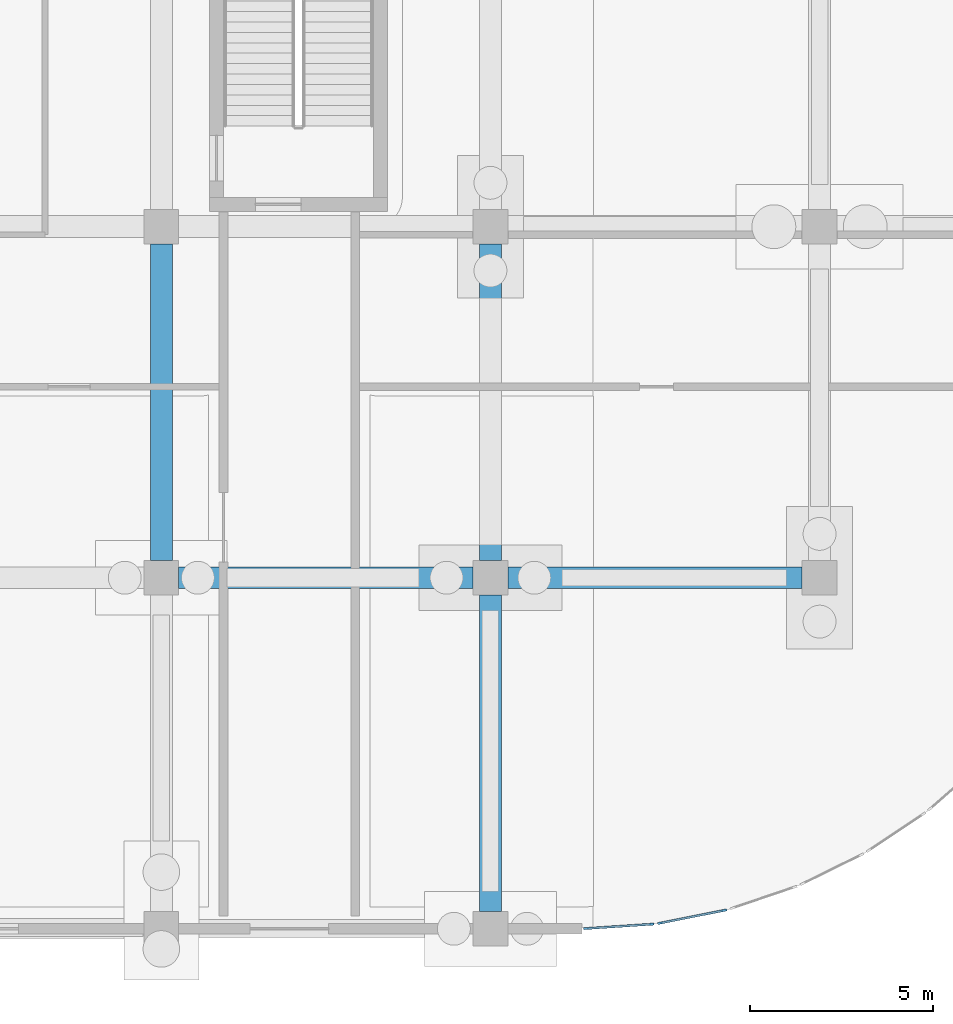
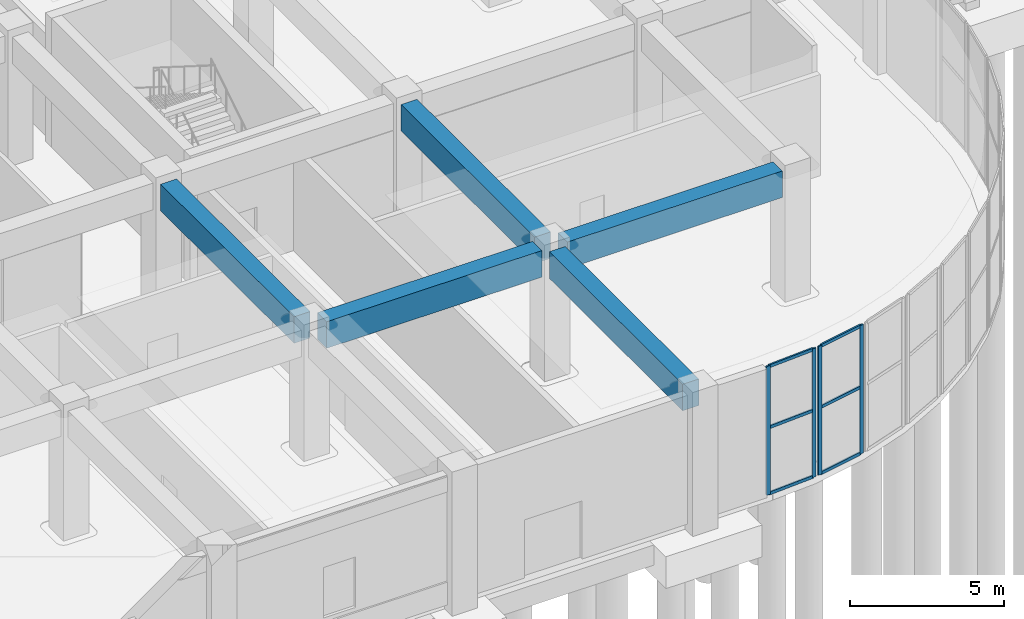
# One storey, part 11 of 74: 10 members, 5 beams, 2 elements without a shape of their own.
"""IFC4 building model written with IfcOpenShell, lengths in metres."""

from ifc_helpers import new_model, si_unit, direction, frame, origin, origin_2d, place, context, subcontext, project, spatial, rectangle, extrude, material, layer, layer_set, material_profile, profile_set, type_object, element, aggregate, save


model = new_model("IFC4")

# Units and contexts
model_context = context("Model", 3, precision=1e-05, world=origin(), true_north=direction((0.0, 1.0)))
body_context = subcontext(model_context, "Body", "Model", "MODEL_VIEW")
ifc_project = project(units=[si_unit("LENGTHUNIT", "METRE"), si_unit("AREAUNIT", "SQUARE_METRE"), si_unit("VOLUMEUNIT", "CUBIC_METRE"), si_unit("PLANEANGLEUNIT", "RADIAN"), si_unit("MASSUNIT", "GRAM", prefix="KILO")], contexts=[model_context])

# Site, building, storey
site_placement = place(None, origin())
site = spatial("IfcSite", under=ifc_project, at=site_placement, CompositionType="ELEMENT")
building_placement = place(site_placement, origin())
building = spatial("IfcBuilding", under=site, at=building_placement, Name="Cendralis Terraced Arcade", CompositionType="ELEMENT")
storey_placement = place(building_placement, origin())
storey = spatial("IfcBuildingStorey", under=building, at=storey_placement, Name="L00", CompositionType="ELEMENT", Elevation=0.0)

# Beams
ifc_material_1 = material(Name="Concrete f'c 35 MPa", Category="concrete")
ifc_material_profile_1 = material_profile(ifc_material_1, rectangle(XDim=0.60009765625, YDim=1.050048828125, at=origin_2d()), Name="RC-BM-600x1050", Category="LoadBearing")
ifc_profile_set_1 = profile_set([ifc_material_profile_1], Name="Concrete f'c 35 MPa")
beam_type = type_object("IfcBeamType", Name="BM-600x1050", PredefinedType="JOIST", material=ifc_profile_set_1)
for number, where, z_axis, x_axis, name in (
    (1, (112.675048828125, 9.60009765625, 4.56494140625), (1.0, 0.0, 0.0), (0.0, 1.0, 0.0), "Reinforced Concrete Frame Beam BM-X-L01-B-13_14"),
    (2, (121.675048828125, 9.60009765625, 4.56494140625), (1.0, 0.0, 0.0), (0.0, 1.0, 0.0), "Reinforced Concrete Frame Beam BM-X-L01-B-14_15"),
):
    element("IfcBeam", number, at=place(storey_placement, frame(where, z_axis=z_axis, x_axis=x_axis)), inside=storey, type_object=beam_type, Name=name, PredefinedType="JOIST", context=body_context, shape_type="SweptSolid", body=[
        extrude(rectangle(XDim=0.60009765625, YDim=1.050048828125, at=origin_2d()), origin(), (0.0, 0.0, 1.0), 8.050048828125),
    ])
beam_1_placement = place(storey_placement, frame((112.199951171875, 10.074951171875, 4.56494140625), z_axis=(0.0, 1.0, 0.0), x_axis=(-1.0, 0.0, 0.0)))
element("IfcBeam", 3, at=beam_1_placement, inside=storey, type_object=beam_type, Name="Reinforced Concrete Frame Beam BM-Y-L01-13-B_C", PredefinedType="JOIST", context=body_context, shape_type="SweptSolid", body=[
    extrude(rectangle(XDim=0.60009765625, YDim=1.050048828125, at=origin_2d()), origin(), (0.0, 0.0, 1.0), 8.650146484375),
])
beam_2_placement = place(storey_placement, frame((121.199951171875, 0.47509765625, 4.56494140625), z_axis=(0.0, 1.0, 0.0), x_axis=(-1.0, 0.0, 0.0)))
element("IfcBeam", 4, at=beam_2_placement, inside=storey, type_object=beam_type, Name="Reinforced Concrete Frame Beam BM-Y-L01-14-A_B", PredefinedType="JOIST", context=body_context, shape_type="SweptSolid", body=[
    extrude(rectangle(XDim=0.60009765625, YDim=1.050048828125, at=origin_2d()), origin(), (0.0, 0.0, 1.0), 8.64990234375),
])
beam_3_placement = place(storey_placement, frame((121.199951171875, 10.074951171875, 4.56494140625), z_axis=(0.0, 1.0, 0.0), x_axis=(-1.0, 0.0, 0.0)))
element("IfcBeam", 5, at=beam_3_placement, inside=storey, type_object=beam_type, Name="Reinforced Concrete Frame Beam BM-Y-L01-14-B_C", PredefinedType="JOIST", context=body_context, shape_type="SweptSolid", body=[
    extrude(rectangle(XDim=0.60009765625, YDim=1.050048828125, at=origin_2d()), origin(), (0.0, 0.0, 1.0), 8.650146484375),
])

# Curtain wall, members
ifc_material_2 = material(Name="Anodised aluminium EN AW-6063 T6", Category="aluminium")
ifc_layer = layer(ifc_material_2, 0.139892578125, Name="CW-STORE-A")
ifc_layer_set = layer_set([ifc_layer], Name="Anodised aluminium EN AW-6063 T6")
curtain_wall_type = type_object("IfcCurtainWallType", Name="CW-STORE-A", PredefinedType="USERDEFINED", material=ifc_layer_set)
curtain_wall_1_placement = place(storey_placement, origin())
curtain_wall_1 = element("IfcCurtainWall", 6, at=curtain_wall_1_placement, inside=storey, type_object=curtain_wall_type, Name="Exterior Storefront Glazing CW-L00-0011", ObjectType="STOREFRONT GLAZING", PredefinedType="USERDEFINED")
ifc_material_profile_2 = material_profile(ifc_material_2, rectangle(XDim=0.06005859375, YDim=0.139892578125, at=origin_2d()), Name="ALU-MUL-60x140")
ifc_profile_set_2 = profile_set([ifc_material_profile_2], Name="Anodised aluminium EN AW-6063 T6")
member_type_1 = type_object("IfcMemberType", Name="CW-STORE-A-MUL", PredefinedType="MULLION", material=ifc_profile_set_2)
member_1_placement = place(storey_placement, frame((127.593994140625, 0.504638671875, 0.0), z_axis=(0.0, 0.0, 1.0), x_axis=(0.195033398913, -0.980796601395, 0.0)))
member_1 = element("IfcMember", 7, at=member_1_placement, type_object=member_type_1, Name="CW-S1 mullion 1", PredefinedType="MULLION", context=body_context, shape_type="SweptSolid", body=[
    extrude(rectangle(XDim=0.06005859375, YDim=0.139892578125, at=origin_2d()), origin(), (0.0, 0.0, 1.0), 5.090087890625),
])
member_2_placement = place(storey_placement, frame((125.8408203125, 0.156005859375, 0.0), z_axis=(0.0, 0.0, 1.0), x_axis=(0.195033398913, -0.980796601395, 0.0)))
member_2 = element("IfcMember", 8, at=member_2_placement, type_object=member_type_1, Name="CW-S1 mullion 2", PredefinedType="MULLION", context=body_context, shape_type="SweptSolid", body=[
    extrude(rectangle(XDim=0.06005859375, YDim=0.139892578125, at=origin_2d()), origin(), (0.0, 0.0, 1.0), 5.090087890625),
])

curtain_wall_2_placement = place(storey_placement, origin())
curtain_wall_2 = element("IfcCurtainWall", 9, at=curtain_wall_2_placement, inside=storey, type_object=curtain_wall_type, Name="Exterior Storefront Glazing CW-L00-0012", ObjectType="STOREFRONT GLAZING", PredefinedType="USERDEFINED")
member_3_placement = place(storey_placement, frame((125.603515625, 0.124755859375, 0.0), z_axis=(0.0, 0.0, 1.0), x_axis=(0.065383766124, -0.997860192175, 0.0)))
member_3 = element("IfcMember", 10, at=member_3_placement, type_object=member_type_1, Name="CW-S1 mullion 1", PredefinedType="MULLION", context=body_context, shape_type="SweptSolid", body=[
    extrude(rectangle(XDim=0.06005859375, YDim=0.139892578125, at=origin_2d()), origin(), (0.0, 0.0, 1.0), 5.090087890625),
])
member_4_placement = place(storey_placement, frame((123.81982421875, 0.0078125, 0.0), z_axis=(0.0, 0.0, 1.0), x_axis=(0.065383766124, -0.997860192175, 0.0)))
member_4 = element("IfcMember", 11, at=member_4_placement, type_object=member_type_1, Name="CW-S1 mullion 2", PredefinedType="MULLION", context=body_context, shape_type="SweptSolid", body=[
    extrude(rectangle(XDim=0.06005859375, YDim=0.139892578125, at=origin_2d()), origin(), (0.0, 0.0, 1.0), 5.090087890625),
])

# Member
ifc_material_profile_3 = material_profile(ifc_material_2, rectangle(XDim=0.06005859375, YDim=0.1201171875, at=origin_2d()), Name="ALU-TRN-60x120")
ifc_profile_set_3 = profile_set([ifc_material_profile_3], Name="Anodised aluminium EN AW-6063 T6")
member_type_2 = type_object("IfcMemberType", Name="CW-STORE-A-TRN", PredefinedType="USERDEFINED", material=ifc_profile_set_3)
member_5_placement = place(storey_placement, frame((127.564453125, 0.498779296875, 0.030029296875), z_axis=(-0.980792119991, -0.195055933937, 0.0), x_axis=(0.195055933937, -0.980792119991, 0.0)))
member_5 = element("IfcMember", 12, at=member_5_placement, type_object=member_type_2, Name="CW-S1 transom 1.1", ObjectType="TRANSOM", PredefinedType="USERDEFINED", context=body_context, shape_type="SweptSolid", body=[
    extrude(rectangle(XDim=0.06005859375, YDim=0.1201171875, at=origin_2d()), origin(), (0.0, 0.0, 1.0), 1.727294921875),
])

member_6_placement = place(storey_placement, frame((127.564453125, 0.498779296875, 2.646728515625), z_axis=(-0.980792119991, -0.195055933937, 0.0), x_axis=(0.195055933937, -0.980792119991, 0.0)))
member_6 = element("IfcMember", 13, at=member_6_placement, type_object=member_type_2, Name="CW-S1 transom 1.2", ObjectType="TRANSOM", PredefinedType="USERDEFINED", context=body_context, shape_type="SweptSolid", body=[
    extrude(rectangle(XDim=0.06005859375, YDim=0.1201171875, at=origin_2d()), origin(), (0.0, 0.0, 1.0), 1.727294921875),
])

member_7_placement = place(storey_placement, frame((127.564453125, 0.498779296875, 5.06005859375), z_axis=(-0.980792119991, -0.195055933937, 0.0), x_axis=(0.195055933937, -0.980792119991, 0.0)))
member_7 = element("IfcMember", 14, at=member_7_placement, type_object=member_type_2, Name="CW-S1 transom 1.3", ObjectType="TRANSOM", PredefinedType="USERDEFINED", context=body_context, shape_type="SweptSolid", body=[
    extrude(rectangle(XDim=0.06005859375, YDim=0.1201171875, at=origin_2d()), origin(), (0.0, 0.0, 1.0), 1.727294921875),
])

aggregate(curtain_wall_1, [member_1, member_2, member_5, member_6, member_7])

member_8_placement = place(storey_placement, frame((125.573486328125, 0.122802734375, 0.030029296875), z_axis=(-0.997857100313, -0.065430935766, 0.0), x_axis=(0.065430935766, -0.997857100313, 0.0)))
member_8 = element("IfcMember", 15, at=member_8_placement, type_object=member_type_2, Name="CW-S1 transom 1.1", ObjectType="TRANSOM", PredefinedType="USERDEFINED", context=body_context, shape_type="SweptSolid", body=[
    extrude(rectangle(XDim=0.06005859375, YDim=0.1201171875, at=origin_2d()), origin(), (0.0, 0.0, 1.0), 1.7275390625),
])

member_9_placement = place(storey_placement, frame((125.573486328125, 0.122802734375, 2.646728515625), z_axis=(-0.997857100313, -0.065430935766, 0.0), x_axis=(0.065430935766, -0.997857100313, 0.0)))
member_9 = element("IfcMember", 16, at=member_9_placement, type_object=member_type_2, Name="CW-S1 transom 1.2", ObjectType="TRANSOM", PredefinedType="USERDEFINED", context=body_context, shape_type="SweptSolid", body=[
    extrude(rectangle(XDim=0.06005859375, YDim=0.1201171875, at=origin_2d()), origin(), (0.0, 0.0, 1.0), 1.7275390625),
])

member_10_placement = place(storey_placement, frame((125.573486328125, 0.122802734375, 5.06005859375), z_axis=(-0.997857100313, -0.065430935766, 0.0), x_axis=(0.065430935766, -0.997857100313, 0.0)))
member_10 = element("IfcMember", 17, at=member_10_placement, type_object=member_type_2, Name="CW-S1 transom 1.3", ObjectType="TRANSOM", PredefinedType="USERDEFINED", context=body_context, shape_type="SweptSolid", body=[
    extrude(rectangle(XDim=0.06005859375, YDim=0.1201171875, at=origin_2d()), origin(), (0.0, 0.0, 1.0), 1.7275390625),
])

aggregate(curtain_wall_2, [member_3, member_4, member_8, member_9, member_10])

save(model, "model.ifc")
